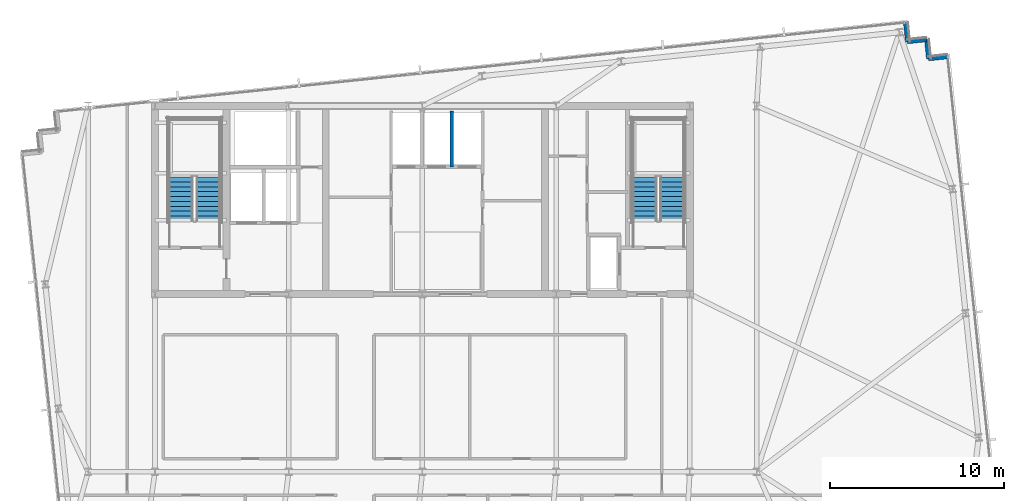
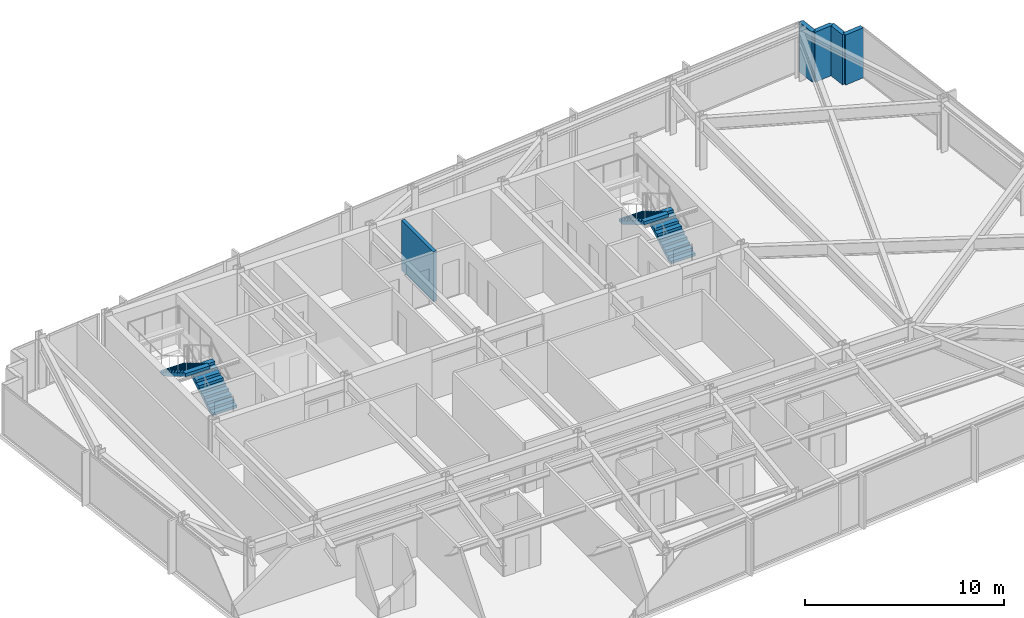
# One storey, part 29 of 33: 5 walls, 4 stair flights, 2 elements without a shape of their own.
"""IFC4 building model written with IfcOpenShell, lengths in metres."""

from ifc_helpers import new_model, si_unit, direction, frame, frame_2d, origin, place, context, subcontext, project, spatial, polyline, rectangle, outline, extrude, material, layer, layer_set, type_object, element, aggregate, save


model = new_model("IFC4")

# Units and contexts
model_context = context("Model", 3, precision=1e-05, world=origin(), true_north=direction((0.0, 1.0)))
body_context = subcontext(model_context, "Body", "Model", "MODEL_VIEW")
ifc_project = project(units=[si_unit("LENGTHUNIT", "METRE"), si_unit("AREAUNIT", "SQUARE_METRE"), si_unit("VOLUMEUNIT", "CUBIC_METRE"), si_unit("PLANEANGLEUNIT", "RADIAN"), si_unit("MASSUNIT", "GRAM", prefix="KILO")], contexts=[model_context])

# Site, building, storey
site_placement = place(None, origin())
site = spatial("IfcSite", under=ifc_project, at=site_placement, CompositionType="ELEMENT")
building_placement = place(site_placement, origin())
building = spatial("IfcBuilding", under=site, at=building_placement, Name="Yelkora Congress Tower", CompositionType="ELEMENT")
storey_placement = place(building_placement, frame((0.0, 0.0, 221.0)))
storey = spatial("IfcBuildingStorey", under=building, at=storey_placement, Name="L61", CompositionType="ELEMENT", Elevation=221.0)

# Walls
ifc_material_1 = material(Name="Concrete C40/50", Category="concrete")
ifc_layer_1 = layer(ifc_material_1, 0.239990234375)
ifc_layer_set_1 = layer_set([ifc_layer_1], Name="Concrete C40/50")
wall_type_1 = type_object("IfcWallType", Name="WALL-EXT-LIMESTONE-240", PredefinedType="SOLIDWALL", material=ifc_layer_set_1)
for number, where, z_axis, x_axis, name in (
    (1, (66.150390625, 50.986572265625, 0.0), (0.0, 0.0, 1.0), (0.104534592565, -0.994521251134, 0.0), "L61 Serrated Corner Limestone Pier 11"),
    (2, (66.265380859375, 49.892578125, 0.0), (0.0, 0.0, 1.0), (0.994521251134, 0.104534592565, 0.0), "L61 Serrated Corner Limestone Pier 12"),
    (3, (67.359375, 50.007568359375, 0.0), (0.0, 0.0, 1.0), (0.104534592565, -0.994521251134, 0.0), "L61 Serrated Corner Limestone Pier 13"),
    (4, (67.474365234375, 48.91357421875, 0.0), (0.0, 0.0, 1.0), (0.994521251134, 0.104534592565, 0.0), "L61 Serrated Corner Limestone Pier 14"),
):
    element("IfcWall", number, at=place(storey_placement, frame(where, z_axis=z_axis, x_axis=x_axis)), inside=storey, type_object=wall_type_1, Name=name, PredefinedType="SOLIDWALL", context=body_context, shape_type="SweptSolid", body=[
        extrude(rectangle(XDim=1.10009765625, YDim=0.239990234375, at=frame_2d((0.550048828125, 0.0))), origin(), (0.0, 0.0, 1.0), 3.080078125),
    ])
ifc_material_2 = material(Name="Autoclaved aerated concrete blockwork", Category="masonry")
ifc_layer_2 = layer(ifc_material_2, 0.199951171875)
ifc_layer_set_2 = layer_set([ifc_layer_2], Name="Autoclaved aerated concrete blockwork")
wall_type_2 = type_object("IfcWallType", Name="WALL-INT-200-R120", PredefinedType="PARTITIONING", material=ifc_layer_set_2)
wall_placement = place(storey_placement, frame((40.10009765625, 42.699951171875, 0.0), z_axis=(0.0, 0.0, 1.0), x_axis=(0.0, 1.0, 0.0)))
element("IfcWall", 5, at=wall_placement, inside=storey, type_object=wall_type_2, Name="L61 Partition Wall 10", PredefinedType="PARTITIONING", context=body_context, shape_type="SweptSolid", body=[
    extrude(rectangle(XDim=3.219970703125, YDim=0.199951171875, at=frame_2d((1.60986328125, 0.0))), origin(), (0.0, 0.0, 1.0), 3.080078125),
])

# Stair, stair flights
stair_type = type_object("IfcStairType", Name="STAIR-HT-1420-R20-165", PredefinedType="HALF_TURN_STAIR", material=ifc_material_1)
stair_1_placement = place(storey_placement, origin())
stair_1 = element("IfcStair", 6, at=stair_1_placement, inside=storey, type_object=stair_type, Name="West Core Protected Exit Stair ST-01 (L61)", PredefinedType="HALF_TURN_STAIR")
stair_flight_type = type_object("IfcStairFlightType", Name="FLIGHT-1420-N10-R165-G280", PredefinedType="STRAIGHT", material=ifc_material_1)
stair_flight_1_placement = place(storey_placement, frame((26.110107421875, 39.60009765625, 0.0), z_axis=(0.0, 0.0, 1.0), x_axis=(0.0, 1.0, 0.0)))
stair_flight_1 = element("IfcStairFlight", 7, at=stair_flight_1_placement, type_object=stair_flight_type, Name="ST-01 L61 Flight 1", NumberOfRisers=10, NumberOfTreads=9, PredefinedType="STRAIGHT", RiserHeight=0.165, TreadLength=0.28, context=body_context, shape_type="SweptSolid", body=[
    extrude(outline(polyline([(0.0, 0.0), (0.0, 0.1650390625), (0.280029296875, 0.1650390625), (0.280029296875, 0.330078125), (0.56005859375, 0.330078125), (0.56005859375, 0.4951171875), (0.840087890625, 0.4951171875), (0.840087890625, 0.659912109375), (1.1201171875, 0.659912109375), (1.1201171875, 0.824951171875), (1.39990234375, 0.824951171875), (1.39990234375, 0.989990234375), (1.679931640625, 0.989990234375), (1.679931640625, 1.155029296875), (1.9599609375, 1.155029296875), (1.9599609375, 1.320068359375), (2.239990234375, 1.320068359375), (2.239990234375, 1.485107421875), (2.52001953125, 1.485107421875), (2.52001953125, 1.64990234375), (2.52001953125, 1.29931640625), (0.31494140625, 0.0), (0.0, 0.0)])), frame((0.0, 0.7099609375, 0.0), z_axis=(0.0, -1.0, 0.0), x_axis=(1.0, 0.0, 0.0)), (0.0, 0.0, 1.0), 1.419921875),
])
stair_flight_2_placement = place(storey_placement, frame((24.530029296875, 42.1201171875, 1.64990234375), z_axis=(0.0, 0.0, 1.0), x_axis=(0.0, -1.0, 0.0)))
stair_flight_2 = element("IfcStairFlight", 8, at=stair_flight_2_placement, type_object=stair_flight_type, Name="ST-01 L61 Flight 2", NumberOfRisers=10, NumberOfTreads=9, PredefinedType="STRAIGHT", RiserHeight=0.165, TreadLength=0.28, context=body_context, shape_type="SweptSolid", body=[
    extrude(outline(polyline([(0.0, 0.0), (0.0, 0.1650390625), (0.280029296875, 0.1650390625), (0.280029296875, 0.330078125), (0.56005859375, 0.330078125), (0.56005859375, 0.4951171875), (0.840087890625, 0.4951171875), (0.840087890625, 0.659912109375), (1.1201171875, 0.659912109375), (1.1201171875, 0.824951171875), (1.39990234375, 0.824951171875), (1.39990234375, 0.989990234375), (1.679931640625, 0.989990234375), (1.679931640625, 1.155029296875), (1.9599609375, 1.155029296875), (1.9599609375, 1.320068359375), (2.239990234375, 1.320068359375), (2.239990234375, 1.485107421875), (2.52001953125, 1.485107421875), (2.52001953125, 1.64990234375), (2.52001953125, 1.29931640625), (0.31494140625, 0.0), (0.0, 0.0)])), frame((0.0, 0.7099609375, 0.0), z_axis=(0.0, -1.0, 0.0), x_axis=(1.0, 0.0, 0.0)), (0.0, 0.0, 1.0), 1.419921875),
])
aggregate(stair_1, [stair_flight_1, stair_flight_2])

stair_2_placement = place(storey_placement, origin())
stair_2 = element("IfcStair", 9, at=stair_2_placement, inside=storey, type_object=stair_type, Name="East Core Protected Exit Stair ST-02 (L61)", PredefinedType="HALF_TURN_STAIR")
stair_flight_3_placement = place(storey_placement, frame((52.75, 39.60009765625, 0.0), z_axis=(0.0, 0.0, 1.0), x_axis=(0.0, 1.0, 0.0)))
stair_flight_3 = element("IfcStairFlight", 10, at=stair_flight_3_placement, type_object=stair_flight_type, Name="ST-02 L61 Flight 1", NumberOfRisers=10, NumberOfTreads=9, PredefinedType="STRAIGHT", RiserHeight=0.165, TreadLength=0.28, context=body_context, shape_type="SweptSolid", body=[
    extrude(outline(polyline([(0.0, 0.0), (0.0, 0.1650390625), (0.280029296875, 0.1650390625), (0.280029296875, 0.330078125), (0.56005859375, 0.330078125), (0.56005859375, 0.4951171875), (0.840087890625, 0.4951171875), (0.840087890625, 0.659912109375), (1.1201171875, 0.659912109375), (1.1201171875, 0.824951171875), (1.39990234375, 0.824951171875), (1.39990234375, 0.989990234375), (1.679931640625, 0.989990234375), (1.679931640625, 1.155029296875), (1.9599609375, 1.155029296875), (1.9599609375, 1.320068359375), (2.239990234375, 1.320068359375), (2.239990234375, 1.485107421875), (2.52001953125, 1.485107421875), (2.52001953125, 1.64990234375), (2.52001953125, 1.29931640625), (0.31494140625, 0.0), (0.0, 0.0)])), frame((0.0, 0.7099609375, 0.0), z_axis=(0.0, -1.0, 0.0), x_axis=(1.0, 0.0, 0.0)), (0.0, 0.0, 1.0), 1.419921875),
])
stair_flight_4_placement = place(storey_placement, frame((51.169921875, 42.1201171875, 1.64990234375), z_axis=(0.0, 0.0, 1.0), x_axis=(0.0, -1.0, 0.0)))
stair_flight_4 = element("IfcStairFlight", 11, at=stair_flight_4_placement, type_object=stair_flight_type, Name="ST-02 L61 Flight 2", NumberOfRisers=10, NumberOfTreads=9, PredefinedType="STRAIGHT", RiserHeight=0.165, TreadLength=0.28, context=body_context, shape_type="SweptSolid", body=[
    extrude(outline(polyline([(0.0, 0.0), (0.0, 0.1650390625), (0.280029296875, 0.1650390625), (0.280029296875, 0.330078125), (0.56005859375, 0.330078125), (0.56005859375, 0.4951171875), (0.840087890625, 0.4951171875), (0.840087890625, 0.659912109375), (1.1201171875, 0.659912109375), (1.1201171875, 0.824951171875), (1.39990234375, 0.824951171875), (1.39990234375, 0.989990234375), (1.679931640625, 0.989990234375), (1.679931640625, 1.155029296875), (1.9599609375, 1.155029296875), (1.9599609375, 1.320068359375), (2.239990234375, 1.320068359375), (2.239990234375, 1.485107421875), (2.52001953125, 1.485107421875), (2.52001953125, 1.64990234375), (2.52001953125, 1.29931640625), (0.31494140625, 0.0), (0.0, 0.0)])), frame((0.0, 0.7099609375, 0.0), z_axis=(0.0, -1.0, 0.0), x_axis=(1.0, 0.0, 0.0)), (0.0, 0.0, 1.0), 1.419921875),
])
aggregate(stair_2, [stair_flight_3, stair_flight_4])

save(model, "model.ifc")
